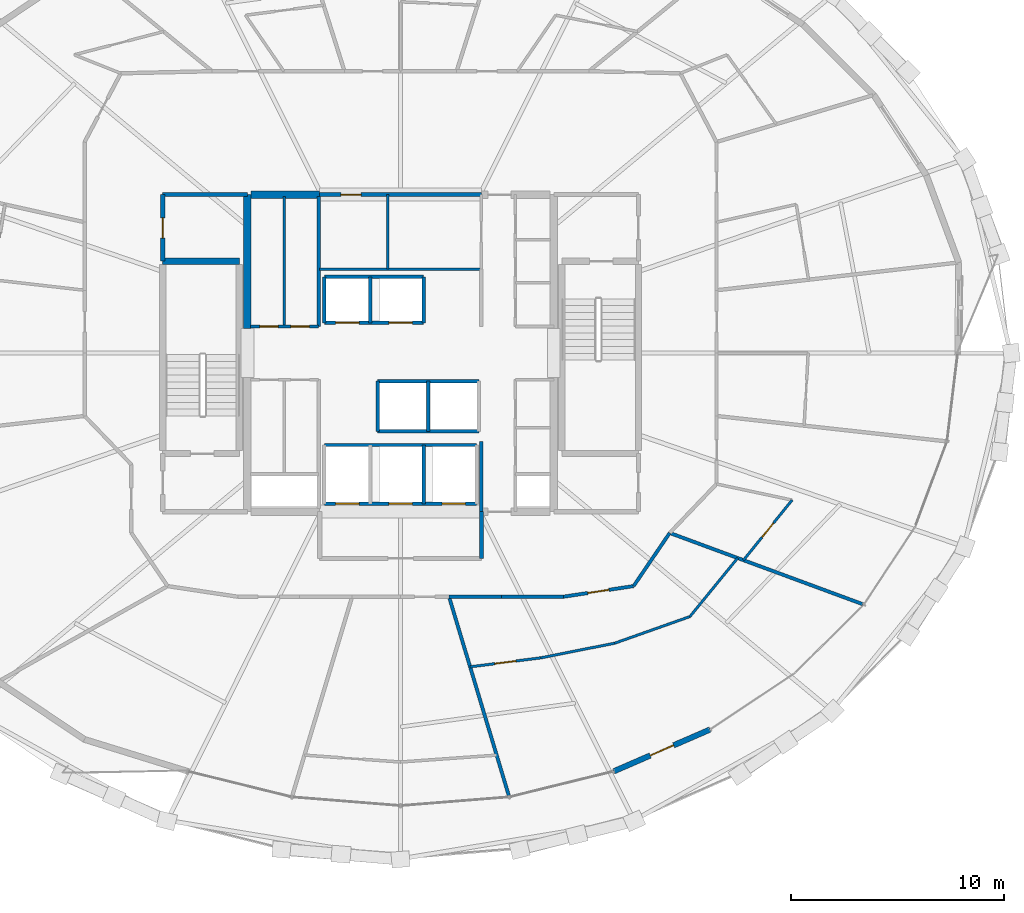
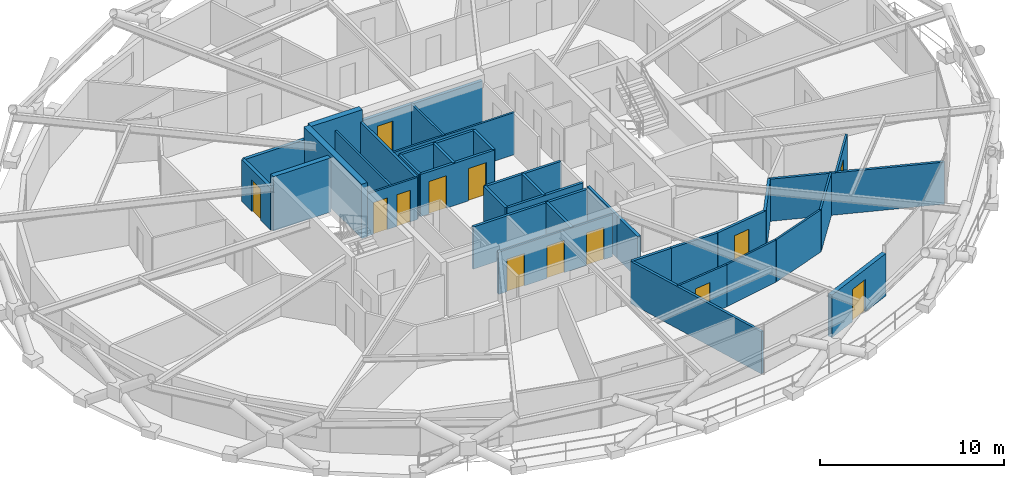
# One storey, part 14 of 20: 37 walls, 13 doors, 13 openings.
"""IFC4 building model written with IfcOpenShell, lengths in metres."""

from ifc_helpers import new_model, si_unit, direction, frame, frame_2d, origin, place, context, subcontext, project, spatial, rectangle, extrude, material, layer, layer_set, type_object, element, fill, save


model = new_model("IFC4")

# Units and contexts
model_context = context("Model", 3, precision=1e-05, world=origin(), true_north=direction((0.0, 1.0)))
body_context = subcontext(model_context, "Body", "Model", "MODEL_VIEW")
ifc_project = project(units=[si_unit("LENGTHUNIT", "METRE"), si_unit("AREAUNIT", "SQUARE_METRE"), si_unit("VOLUMEUNIT", "CUBIC_METRE"), si_unit("PLANEANGLEUNIT", "RADIAN"), si_unit("MASSUNIT", "GRAM", prefix="KILO")], contexts=[model_context])

# Site, building, storey
site_placement = place(None, origin())
site = spatial("IfcSite", under=ifc_project, at=site_placement, CompositionType="ELEMENT")
building_placement = place(site_placement, origin())
building = spatial("IfcBuilding", under=site, at=building_placement, Name="Veldorina Hangang Commons", CompositionType="ELEMENT")
storey_placement = place(building_placement, frame((0.0, 0.0, 117.199951171875)))
storey = spatial("IfcBuildingStorey", under=building, at=storey_placement, Name="L29", CompositionType="ELEMENT", Elevation=117.199951171875)

# Walls
ifc_material_1 = material(Name="Concrete C60/75", Category="concrete")
ifc_layer_1 = layer(ifc_material_1, 0.360107421875)
ifc_layer_set_1 = layer_set([ifc_layer_1], Name="Concrete C60/75")
wall_type_1 = type_object("IfcWallType", Name="CW-RC360-C60", PredefinedType="SHEAR", material=ifc_layer_set_1)
wall_1_placement = place(storey_placement, frame((24.800048828125, 25.14990234375, 0.0), z_axis=(0.0, 0.0, 1.0), x_axis=(0.0, 1.0, 0.0)))
element("IfcWall", 1, at=wall_1_placement, inside=storey, type_object=wall_type_1, Name="L29 W north core shear wall", PredefinedType="SHEAR", context=body_context, shape_type="SweptSolid", body=[
    extrude(rectangle(XDim=6.300048828125, YDim=0.360107421875, at=frame_2d((3.14990234375, 0.0))), origin(), (0.0, 0.0, 1.0), 3.60009765625),
])
wall_2_placement = place(storey_placement, frame((24.97998046875, 31.449951171875, 0.0), z_axis=(0.0, 0.0, 1.0), x_axis=(1.0, 0.0, 0.0)))
element("IfcWall", 2, at=wall_2_placement, inside=storey, type_object=wall_type_1, Name="L29 north-west core shear wall", PredefinedType="SHEAR", context=body_context, shape_type="SweptSolid", body=[
    extrude(rectangle(XDim=3.219970703125, YDim=0.360107421875, at=frame_2d((1.60986328125, 0.0))), origin(), (0.0, 0.0, 1.0), 3.60009765625),
])

# Wall, opening, door
ifc_material_2 = material(Name="Stone Roman Travertine", Category="masonry")
ifc_layer_2 = layer(ifc_material_2, 0.260009765625)
ifc_layer_set_2 = layer_set([ifc_layer_2], Name="Stone Roman Travertine")
wall_type_2 = type_object("IfcWallType", Name="EW-LOGGIA-260", PredefinedType="STANDARD", material=ifc_layer_set_2)
wall_3_placement = place(storey_placement, frame((42.02099609375, 4.3447265625, 0.0), z_axis=(0.0, 0.0, 1.0), x_axis=(0.917243758419, 0.398326358205, 0.0)))
wall_3 = element("IfcWall", 3, at=wall_3_placement, inside=storey, type_object=wall_type_2, Name="L29 sky-garden loggia portal wall 26", PredefinedType="STANDARD", context=body_context, shape_type="SweptSolid", body=[
    extrude(rectangle(XDim=4.935791015625, YDim=0.260009765625, at=frame_2d((2.4677734375, 0.0))), origin(), (0.0, 0.0, 1.0), 2.820068359375),
])
opening_1_placement = place(wall_3_placement, frame((1.867919921875, 0.0, 0.0)))
opening_1 = element("IfcOpeningElement", 4, at=opening_1_placement, cuts=wall_3, Name="Opening BD-1200", PredefinedType="OPENING", context=body_context, shape_type="SweptSolid", body=[
    extrude(rectangle(XDim=1.199951171875, YDim=2.14990234375, at=frame_2d((0.60009765625, 1.074951171875))), frame((0.0, 0.14013671875, 0.0), z_axis=(0.0, -1.0, 0.0), x_axis=(1.0, 0.0, 0.0)), (0.0, 0.0, 1.0), 0.280029296875),
])
ifc_material_3 = material(Name="Glass Thermal Aluminium Frame", Category="aluminium")
door_type_1 = type_object("IfcDoorType", Name="DR-EXT-LOG1200", OperationType="SINGLE_SWING_LEFT", PredefinedType="DOOR", material=ifc_material_3)
door_1_placement = place(opening_1_placement, origin())
door_1 = element("IfcDoor", 5, at=door_1_placement, inside=storey, type_object=door_type_1, Name="L29 loggia glazed exterior door 26", OperationType="SINGLE_SWING_LEFT", OverallHeight=2.14990234375, OverallWidth=1.199951171875, PredefinedType="DOOR", context=body_context, shape_type="SweptSolid", body=[
    extrude(rectangle(XDim=1.199951171875, YDim=2.14990234375, at=frame_2d((0.60009765625, 1.074951171875))), frame((0.0, 0.02490234375, 0.0), z_axis=(0.0, -1.0, 0.0), x_axis=(1.0, 0.0, 0.0)), (0.0, 0.0, 1.0), 0.050048828125),
])
fill(opening_1, door_1)

# Walls
ifc_material_4 = material(Name="Concrete C50/60", Category="concrete")
ifc_layer_3 = layer(ifc_material_4, 0.300048828125)
ifc_layer_set_3 = layer_set([ifc_layer_3], Name="Concrete C50/60")
wall_type_3 = type_object("IfcWallType", Name="SW-STAIR-300", PredefinedType="SHEAR", material=ifc_layer_set_3)
wall_4_placement = place(storey_placement, frame((20.820068359375, 28.320068359375, 0.0), z_axis=(0.0, 0.0, 1.0), x_axis=(1.0, 0.0, 0.0)))
element("IfcWall", 6, at=wall_4_placement, inside=storey, type_object=wall_type_3, Name="L29 ST1 north stair shear wall", PredefinedType="SHEAR", context=body_context, shape_type="SweptSolid", body=[
    extrude(rectangle(XDim=3.599853515625, YDim=0.300048828125, at=frame_2d((1.7998046875, 0.0))), origin(), (0.0, 0.0, 1.0), 3.60009765625),
])
ifc_material_5 = material(Name="Gypsum Fire-Rated Twin Stud Wall", Category="gypsum")
ifc_layer_4 = layer(ifc_material_5, 0.159912109375)
ifc_layer_set_4 = layer_set([ifc_layer_4], Name="Gypsum Fire-Rated Twin Stud Wall")
wall_type_4 = type_object("IfcWallType", Name="WL-FIRE-160", PredefinedType="SOLIDWALL", material=ifc_layer_set_4)
wall_5_placement = place(storey_placement, frame((35.800048828125, 16.550048828125, 0.0), z_axis=(0.0, 0.0, 1.0), x_axis=(0.0, 1.0, 0.0)))
element("IfcWall", 7, at=wall_5_placement, inside=storey, type_object=wall_type_4, Name="L29 Lift passage SW wall 009", PredefinedType="SOLIDWALL", context=body_context, shape_type="SweptSolid", body=[
    extrude(rectangle(XDim=3.300048828125, YDim=0.159912109375, at=frame_2d((1.64990234375, 0.0))), origin(), (0.0, 0.0, 1.0), 2.800048828125),
])

# Wall, openings, doors
wall_6_placement = place(storey_placement, frame((28.419921875, 25.419921875, 0.0), z_axis=(0.0, 0.0, 1.0), x_axis=(1.0, 0.0, 0.0)))
wall_6 = element("IfcWall", 8, at=wall_6_placement, inside=storey, type_object=wall_type_4, Name="L29 Mid-high front shaft wall 015", PredefinedType="SOLIDWALL", context=body_context, shape_type="SweptSolid", body=[
    extrude(rectangle(XDim=4.66015625, YDim=0.159912109375, at=frame_2d((2.330078125, 0.0))), origin(), (0.0, 0.0, 1.0), 2.800048828125),
])
opening_2_placement = place(wall_6_placement, frame((0.530029296875, 0.0, 0.0)))
opening_2 = element("IfcOpeningElement", 9, at=opening_2_placement, cuts=wall_6, Name="Opening LD-01", PredefinedType="OPENING", context=body_context, shape_type="SweptSolid", body=[
    extrude(rectangle(XDim=1.10009765625, YDim=2.14990234375, at=frame_2d((0.550048828125, 1.074951171875))), frame((0.0, 0.08984375, 0.0), z_axis=(0.0, -1.0, 0.0), x_axis=(1.0, 0.0, 0.0)), (0.0, 0.0, 1.0), 0.179931640625),
])
opening_3_placement = place(wall_6_placement, frame((3.030029296875, 0.0, 0.0)))
opening_3 = element("IfcOpeningElement", 10, at=opening_3_placement, cuts=wall_6, Name="Opening LD-01", PredefinedType="OPENING", context=body_context, shape_type="SweptSolid", body=[
    extrude(rectangle(XDim=1.10009765625, YDim=2.14990234375, at=frame_2d((0.550048828125, 1.074951171875))), frame((0.0, 0.08984375, 0.0), z_axis=(0.0, -1.0, 0.0), x_axis=(1.0, 0.0, 0.0)), (0.0, 0.0, 1.0), 0.179931640625),
])
ifc_material_6 = material(Name="Stainless Steel Brushed Lift Door", Category="steel")
door_type_2 = type_object("IfcDoorType", Name="DR-LIFT-1100", OperationType="SLIDING_TO_LEFT", PredefinedType="DOOR", material=ifc_material_6)
door_2_placement = place(opening_2_placement, origin())
door_2 = element("IfcDoor", 11, at=door_2_placement, inside=storey, type_object=door_type_2, Name="L29 Lift PL-M1 landing door 006", OperationType="SLIDING_TO_RIGHT", OverallHeight=2.14990234375, OverallWidth=1.10009765625, PredefinedType="DOOR", context=body_context, shape_type="SweptSolid", body=[
    extrude(rectangle(XDim=1.10009765625, YDim=2.14990234375, at=frame_2d((0.550048828125, 1.074951171875))), frame((0.0, 0.02490234375, 0.0), z_axis=(0.0, -1.0, 0.0), x_axis=(1.0, 0.0, 0.0)), (0.0, 0.0, 1.0), 0.050048828125),
])
fill(opening_2, door_2)
door_3_placement = place(opening_3_placement, origin())
door_3 = element("IfcDoor", 12, at=door_3_placement, inside=storey, type_object=door_type_2, Name="L29 Lift PL-M2 landing door 007", OperationType="SLIDING_TO_RIGHT", OverallHeight=2.14990234375, OverallWidth=1.10009765625, PredefinedType="DOOR", context=body_context, shape_type="SweptSolid", body=[
    extrude(rectangle(XDim=1.10009765625, YDim=2.14990234375, at=frame_2d((0.550048828125, 1.074951171875))), frame((0.0, 0.02490234375, 0.0), z_axis=(0.0, -1.0, 0.0), x_axis=(1.0, 0.0, 0.0)), (0.0, 0.0, 1.0), 0.050048828125),
])
fill(opening_3, door_3)

# Walls
wall_7_placement = place(storey_placement, frame((28.419921875, 27.580078125, 0.0), z_axis=(0.0, 0.0, 1.0), x_axis=(1.0, 0.0, 0.0)))
element("IfcWall", 13, at=wall_7_placement, inside=storey, type_object=wall_type_4, Name="L29 Mid-high rear shaft wall 016", PredefinedType="SOLIDWALL", context=body_context, shape_type="SweptSolid", body=[
    extrude(rectangle(XDim=4.66015625, YDim=0.159912109375, at=frame_2d((2.330078125, 0.0))), origin(), (0.0, 0.0, 1.0), 2.800048828125),
])
for number, where, z_axis, x_axis, name in (
    (14, (28.419921875, 25.419921875, 0.0), (0.0, 0.0, 1.0), (0.0, 1.0, 0.0), "L29 PL-M1 west shaft wall 017"),
    (15, (30.580078125, 25.419921875, 0.0), (0.0, 0.0, 1.0), (0.0, 1.0, 0.0), "L29 PL-M1 east shaft wall 018"),
    (16, (33.080078125, 25.419921875, 0.0), (0.0, 0.0, 1.0), (0.0, 1.0, 0.0), "L29 PL-M2 east shaft wall 019"),
):
    element("IfcWall", number, at=place(storey_placement, frame(where, z_axis=z_axis, x_axis=x_axis)), inside=storey, type_object=wall_type_4, Name=name, PredefinedType="SOLIDWALL", context=body_context, shape_type="SweptSolid", body=[
        extrude(rectangle(XDim=2.16015625, YDim=0.159912109375, at=frame_2d((1.080078125, 0.0))), origin(), (0.0, 0.0, 1.0), 2.800048828125),
    ])
for number, where, z_axis, x_axis, name in (
    (17, (30.919921875, 22.679931640625, 0.0), (0.0, 0.0, 1.0), (1.0, 0.0, 0.0), "L29 Shuttle-high front shaft wall 020"),
    (18, (30.919921875, 20.320068359375, 0.0), (0.0, 0.0, 1.0), (1.0, 0.0, 0.0), "L29 Shuttle-high rear shaft wall 021"),
):
    element("IfcWall", number, at=place(storey_placement, frame(where, z_axis=z_axis, x_axis=x_axis)), inside=storey, type_object=wall_type_4, Name=name, PredefinedType="SOLIDWALL", context=body_context, shape_type="SweptSolid", body=[
        extrude(rectangle(XDim=4.760009765625, YDim=0.159912109375, at=frame_2d((2.3798828125, 0.0))), origin(), (0.0, 0.0, 1.0), 2.800048828125),
    ])
for number, where, z_axis, x_axis, name in (
    (19, (30.919921875, 20.320068359375, 0.0), (0.0, 0.0, 1.0), (0.0, 1.0, 0.0), "L29 SL-1 west shaft wall 022"),
    (20, (33.300048828125, 20.320068359375, 0.0), (0.0, 0.0, 1.0), (0.0, 1.0, 0.0), "L29 SL-1 east shaft wall 023"),
):
    element("IfcWall", number, at=place(storey_placement, frame(where, z_axis=z_axis, x_axis=x_axis)), inside=storey, type_object=wall_type_4, Name=name, PredefinedType="SOLIDWALL", context=body_context, shape_type="SweptSolid", body=[
        extrude(rectangle(XDim=2.35986328125, YDim=0.159912109375, at=frame_2d((1.179931640625, 0.0))), origin(), (0.0, 0.0, 1.0), 2.800048828125),
    ])

# Wall, openings, doors
wall_8_placement = place(storey_placement, frame((28.419921875, 16.919921875, 0.0), z_axis=(0.0, 0.0, 1.0), x_axis=(1.0, 0.0, 0.0)))
wall_8 = element("IfcWall", 21, at=wall_8_placement, inside=storey, type_object=wall_type_4, Name="L29 Emergency front shaft wall 025", PredefinedType="SOLIDWALL", context=body_context, shape_type="SweptSolid", body=[
    extrude(rectangle(XDim=7.16015625, YDim=0.159912109375, at=frame_2d((3.580078125, 0.0))), origin(), (0.0, 0.0, 1.0), 2.800048828125),
])
opening_4_placement = place(wall_8_placement, frame((0.530029296875, 0.0, 0.0)))
opening_4 = element("IfcOpeningElement", 22, at=opening_4_placement, cuts=wall_8, Name="Opening LD-03", PredefinedType="OPENING", context=body_context, shape_type="SweptSolid", body=[
    extrude(rectangle(XDim=1.10009765625, YDim=2.14990234375, at=frame_2d((0.550048828125, 1.074951171875))), frame((0.0, 0.08984375, 0.0), z_axis=(0.0, -1.0, 0.0), x_axis=(1.0, 0.0, 0.0)), (0.0, 0.0, 1.0), 0.179931640625),
])
opening_5_placement = place(wall_8_placement, frame((3.030029296875, 0.0, 0.0)))
opening_5 = element("IfcOpeningElement", 23, at=opening_5_placement, cuts=wall_8, Name="Opening LD-03", PredefinedType="OPENING", context=body_context, shape_type="SweptSolid", body=[
    extrude(rectangle(XDim=1.10009765625, YDim=2.14990234375, at=frame_2d((0.550048828125, 1.074951171875))), frame((0.0, 0.08984375, 0.0), z_axis=(0.0, -1.0, 0.0), x_axis=(1.0, 0.0, 0.0)), (0.0, 0.0, 1.0), 0.179931640625),
])
opening_6_placement = place(wall_8_placement, frame((5.530029296875, 0.0, 0.0)))
opening_6 = element("IfcOpeningElement", 24, at=opening_6_placement, cuts=wall_8, Name="Opening LD-03", PredefinedType="OPENING", context=body_context, shape_type="SweptSolid", body=[
    extrude(rectangle(XDim=1.10009765625, YDim=2.14990234375, at=frame_2d((0.550048828125, 1.074951171875))), frame((0.0, 0.08984375, 0.0), z_axis=(0.0, -1.0, 0.0), x_axis=(1.0, 0.0, 0.0)), (0.0, 0.0, 1.0), 0.179931640625),
])
ifc_material_7 = material(Name="Stainless Steel Firefighting Lift Door", Category="steel")
door_type_3 = type_object("IfcDoorType", Name="DR-LIFT-FF1100", OperationType="SLIDING_TO_RIGHT", PredefinedType="DOOR", material=ifc_material_7)
door_4_placement = place(opening_4_placement, origin())
door_4 = element("IfcDoor", 25, at=door_4_placement, inside=storey, type_object=door_type_3, Name="L29 Emergency lift FFL-1 landing door 008", OperationType="SLIDING_TO_RIGHT", OverallHeight=2.14990234375, OverallWidth=1.10009765625, PredefinedType="DOOR", context=body_context, shape_type="SweptSolid", body=[
    extrude(rectangle(XDim=1.10009765625, YDim=2.14990234375, at=frame_2d((0.550048828125, 1.074951171875))), frame((0.0, 0.02490234375, 0.0), z_axis=(0.0, -1.0, 0.0), x_axis=(1.0, 0.0, 0.0)), (0.0, 0.0, 1.0), 0.050048828125),
])
fill(opening_4, door_4)
door_5_placement = place(opening_5_placement, origin())
door_5 = element("IfcDoor", 26, at=door_5_placement, inside=storey, type_object=door_type_3, Name="L29 Emergency lift FFL-2 landing door 009", OperationType="SLIDING_TO_RIGHT", OverallHeight=2.14990234375, OverallWidth=1.10009765625, PredefinedType="DOOR", context=body_context, shape_type="SweptSolid", body=[
    extrude(rectangle(XDim=1.10009765625, YDim=2.14990234375, at=frame_2d((0.550048828125, 1.074951171875))), frame((0.0, 0.02490234375, 0.0), z_axis=(0.0, -1.0, 0.0), x_axis=(1.0, 0.0, 0.0)), (0.0, 0.0, 1.0), 0.050048828125),
])
fill(opening_5, door_5)
door_6_placement = place(opening_6_placement, origin())
door_6 = element("IfcDoor", 27, at=door_6_placement, inside=storey, type_object=door_type_3, Name="L29 Emergency lift EVL-1 landing door 010", OperationType="SLIDING_TO_RIGHT", OverallHeight=2.14990234375, OverallWidth=1.10009765625, PredefinedType="DOOR", context=body_context, shape_type="SweptSolid", body=[
    extrude(rectangle(XDim=1.10009765625, YDim=2.14990234375, at=frame_2d((0.550048828125, 1.074951171875))), frame((0.0, 0.02490234375, 0.0), z_axis=(0.0, -1.0, 0.0), x_axis=(1.0, 0.0, 0.0)), (0.0, 0.0, 1.0), 0.050048828125),
])
fill(opening_6, door_6)

# Walls
wall_9_placement = place(storey_placement, frame((28.419921875, 19.679931640625, 0.0), z_axis=(0.0, 0.0, 1.0), x_axis=(1.0, 0.0, 0.0)))
element("IfcWall", 28, at=wall_9_placement, inside=storey, type_object=wall_type_4, Name="L29 Emergency rear shaft wall 026", PredefinedType="SOLIDWALL", context=body_context, shape_type="SweptSolid", body=[
    extrude(rectangle(XDim=7.16015625, YDim=0.159912109375, at=frame_2d((3.580078125, 0.0))), origin(), (0.0, 0.0, 1.0), 2.800048828125),
])
wall_10_placement = place(storey_placement, frame((33.080078125, 16.919921875, 0.0), z_axis=(0.0, 0.0, 1.0), x_axis=(0.0, 1.0, 0.0)))
element("IfcWall", 29, at=wall_10_placement, inside=storey, type_object=wall_type_4, Name="L29 FFL-2 east shaft wall 029", PredefinedType="SOLIDWALL", context=body_context, shape_type="SweptSolid", body=[
    extrude(rectangle(XDim=2.760009765625, YDim=0.159912109375, at=frame_2d((1.3798828125, 0.0))), origin(), (0.0, 0.0, 1.0), 2.800048828125),
])
wall_11_placement = place(storey_placement, frame((28.14990234375, 25.25, 0.0), z_axis=(0.0, 0.0, 1.0), x_axis=(0.0, 1.0, 0.0)))
element("IfcWall", 30, at=wall_11_placement, inside=storey, type_object=wall_type_4, Name="L29 NW core inner wall 038", PredefinedType="SOLIDWALL", context=body_context, shape_type="SweptSolid", body=[
    extrude(rectangle(XDim=6.10009765625, YDim=0.159912109375, at=frame_2d((3.050048828125, 0.0))), origin(), (0.0, 0.0, 1.0), 2.800048828125),
])
wall_12_placement = place(storey_placement, frame((34.277587890625, 12.550048828125, 0.0), z_axis=(0.0, 0.0, 1.0), x_axis=(1.0, 0.0, 0.0)))
element("IfcWall", 31, at=wall_12_placement, inside=storey, type_object=wall_type_4, Name="L29 U-corridor outer wall 25 075", PredefinedType="SOLIDWALL", context=body_context, shape_type="SweptSolid", body=[
    extrude(rectangle(XDim=2.465087890625, YDim=0.159912109375, at=frame_2d((1.232421875, 0.0))), origin(), (0.0, 0.0, 1.0), 2.800048828125),
])
wall_13_placement = place(storey_placement, frame((36.74267578125, 12.550048828125, 0.0), z_axis=(0.0, 0.0, 1.0), x_axis=(1.0, 0.0, 0.0)))
element("IfcWall", 32, at=wall_13_placement, inside=storey, type_object=wall_type_4, Name="L29 U-corridor outer wall 26 076", PredefinedType="SOLIDWALL", context=body_context, shape_type="SweptSolid", body=[
    extrude(rectangle(XDim=2.907958984375, YDim=0.159912109375, at=frame_2d((1.4541015625, 0.0))), origin(), (0.0, 0.0, 1.0), 2.800048828125),
])

# Wall, opening, door
wall_14_placement = place(storey_placement, frame((39.650634765625, 12.550048828125, 0.0), z_axis=(0.0, 0.0, 1.0), x_axis=(0.988710906508, 0.149835721217, 0.0)))
wall_14 = element("IfcWall", 33, at=wall_14_placement, inside=storey, type_object=wall_type_4, Name="L29 U-corridor outer wall 27 077", PredefinedType="SOLIDWALL", context=body_context, shape_type="SweptSolid", body=[
    extrude(rectangle(XDim=3.3369140625, YDim=0.159912109375, at=frame_2d((1.66845703125, 0.0))), origin(), (0.0, 0.0, 1.0), 2.800048828125),
])
opening_7_placement = place(wall_14_placement, frame((1.16845703125, 0.0, 0.0)))
opening_7 = element("IfcOpeningElement", 34, at=opening_7_placement, cuts=wall_14, Name="Opening D-05", PredefinedType="OPENING", context=body_context, shape_type="SweptSolid", body=[
    extrude(rectangle(XDim=1.0, YDim=2.10009765625, at=frame_2d((0.5, 1.050048828125))), frame((0.0, 0.08984375, 0.0), z_axis=(0.0, -1.0, 0.0), x_axis=(1.0, 0.0, 0.0)), (0.0, 0.0, 1.0), 0.179931640625),
])
ifc_material_8 = material(Name="Timber Solid Core Acoustic", Category="wood")
door_type_4 = type_object("IfcDoorType", Name="DR-INT-1000", OperationType="SINGLE_SWING_RIGHT", PredefinedType="DOOR", material=ifc_material_8)
door_7_placement = place(opening_7_placement, origin())
door_7 = element("IfcDoor", 35, at=door_7_placement, inside=storey, type_object=door_type_4, Name="L29 Commons alcove door 022", OperationType="SINGLE_SWING_RIGHT", OverallHeight=2.10009765625, OverallWidth=1.0, PredefinedType="DOOR", context=body_context, shape_type="SweptSolid", body=[
    extrude(rectangle(XDim=1.0, YDim=2.10009765625, at=frame_2d((0.5, 1.050048828125))), frame((0.0, 0.02490234375, 0.0), z_axis=(0.0, -1.0, 0.0), x_axis=(1.0, 0.0, 0.0)), (0.0, 0.0, 1.0), 0.050048828125),
])
fill(opening_7, door_7)

# Walls
wall_15_placement = place(storey_placement, frame((42.949951171875, 13.050048828125, 0.0), z_axis=(0.0, 0.0, 1.0), x_axis=(0.562674669208, 0.826678423955, 0.0)))
element("IfcWall", 36, at=wall_15_placement, inside=storey, type_object=wall_type_4, Name="L29 U-corridor outer wall 28 078", PredefinedType="SOLIDWALL", context=body_context, shape_type="SweptSolid", body=[
    extrude(rectangle(XDim=3.021240234375, YDim=0.159912109375, at=frame_2d((1.5107421875, 0.0))), origin(), (0.0, 0.0, 1.0), 2.800048828125),
])
wall_16_placement = place(storey_placement, frame((34.277587890625, 12.550048828125, 0.0), z_axis=(0.0, 0.0, 1.0), x_axis=(0.287936282095, -0.957649569234, 0.0)))
element("IfcWall", 37, at=wall_16_placement, inside=storey, type_object=wall_type_4, Name="L29 Unit party wall 25 082", PredefinedType="SOLIDWALL", context=body_context, shape_type="SweptSolid", body=[
    extrude(rectangle(XDim=9.7822265625, YDim=0.159912109375, at=frame_2d((4.89111328125, 0.0))), origin(), (0.0, 0.0, 1.0), 2.800048828125),
])
wall_17_placement = place(storey_placement, frame((44.64990234375, 15.547607421875, 0.0), z_axis=(0.0, 0.0, 1.0), x_axis=(0.938144779107, -0.34624322872, 0.0)))
element("IfcWall", 38, at=wall_17_placement, inside=storey, type_object=wall_type_4, Name="L29 Unit party wall 29 087", PredefinedType="SOLIDWALL", context=body_context, shape_type="SweptSolid", body=[
    extrude(rectangle(XDim=9.6748046875, YDim=0.159912109375, at=frame_2d((4.83740234375, 0.0))), origin(), (0.0, 0.0, 1.0), 2.800048828125),
])

# Wall, opening, door
ifc_material_9 = material(Name="Concrete Blockwork Fire Wall C30/37", Category="masonry")
ifc_layer_5 = layer(ifc_material_9, 0.199951171875)
ifc_layer_set_5 = layer_set([ifc_layer_5], Name="Concrete Blockwork Fire Wall C30/37")
wall_type_5 = type_object("IfcWallType", Name="WL-FIRE-200", PredefinedType="SOLIDWALL", material=ifc_layer_set_5)
wall_18_placement = place(storey_placement, frame((20.820068359375, 28.320068359375, 0.0), z_axis=(0.0, 0.0, 1.0), x_axis=(0.0, 1.0, 0.0)))
wall_18 = element("IfcWall", 39, at=wall_18_placement, inside=storey, type_object=wall_type_5, Name="L29 NW core room outer wall 005", PredefinedType="SOLIDWALL", context=body_context, shape_type="SweptSolid", body=[
    extrude(rectangle(XDim=3.1298828125, YDim=0.199951171875, at=frame_2d((1.56494140625, 0.0))), origin(), (0.0, 0.0, 1.0), 2.800048828125),
])
opening_8_placement = place(wall_18_placement, frame((1.090087890625, 0.0, 0.0)))
opening_8 = element("IfcOpeningElement", 40, at=opening_8_placement, cuts=wall_18, Name="Opening D-04", PredefinedType="OPENING", context=body_context, shape_type="SweptSolid", body=[
    extrude(rectangle(XDim=0.949951171875, YDim=2.10009765625, at=frame_2d((0.47509765625, 1.050048828125))), frame((0.0, 0.10986328125, 0.0), z_axis=(0.0, -1.0, 0.0), x_axis=(1.0, 0.0, 0.0)), (0.0, 0.0, 1.0), 0.219970703125),
])
ifc_material_10 = material(Name="Timber Accessible Flush Leaf", Category="wood")
door_type_5 = type_object("IfcDoorType", Name="DR-ACC-950", OperationType="SINGLE_SWING_LEFT", PredefinedType="DOOR", material=ifc_material_10)
door_8_placement = place(opening_8_placement, origin())
door_8 = element("IfcDoor", 41, at=door_8_placement, inside=storey, type_object=door_type_5, Name="L29 NW core WC door 003", OperationType="SINGLE_SWING_LEFT", OverallHeight=2.10009765625, OverallWidth=0.949951171875, PredefinedType="DOOR", context=body_context, shape_type="SweptSolid", body=[
    extrude(rectangle(XDim=0.949951171875, YDim=2.10009765625, at=frame_2d((0.47509765625, 1.050048828125))), frame((0.0, 0.02490234375, 0.0), z_axis=(0.0, -1.0, 0.0), x_axis=(1.0, 0.0, 0.0)), (0.0, 0.0, 1.0), 0.050048828125),
])
fill(opening_8, door_8)

# Walls
wall_19_placement = place(storey_placement, frame((20.820068359375, 31.449951171875, 0.0), z_axis=(0.0, 0.0, 1.0), x_axis=(1.0, 0.0, 0.0)))
element("IfcWall", 42, at=wall_19_placement, inside=storey, type_object=wall_type_5, Name="L29 NW core room north wall 006", PredefinedType="SOLIDWALL", context=body_context, shape_type="SweptSolid", body=[
    extrude(rectangle(XDim=3.97998046875, YDim=0.199951171875, at=frame_2d((1.989990234375, 0.0))), origin(), (0.0, 0.0, 1.0), 2.800048828125),
])
wall_20_placement = place(storey_placement, frame((35.800048828125, 14.35009765625, 0.0), z_axis=(0.0, 0.0, 1.0), x_axis=(0.0, 1.0, 0.0)))
element("IfcWall", 43, at=wall_20_placement, inside=storey, type_object=wall_type_5, Name="L29 FF lobby east wall 013", PredefinedType="SOLIDWALL", context=body_context, shape_type="SweptSolid", body=[
    extrude(rectangle(XDim=2.199951171875, YDim=0.199951171875, at=frame_2d((1.10009765625, 0.0))), origin(), (0.0, 0.0, 1.0), 2.800048828125),
])

# Wall, opening, door
wall_21_placement = place(storey_placement, frame((28.199951171875, 31.449951171875, 0.0), z_axis=(0.0, 0.0, 1.0), x_axis=(1.0, 0.0, 0.0)))
wall_21 = element("IfcWall", 44, at=wall_21_placement, inside=storey, type_object=wall_type_5, Name="L29 Merged north core wall 031", PredefinedType="SOLIDWALL", context=body_context, shape_type="SweptSolid", body=[
    extrude(rectangle(XDim=7.60009765625, YDim=0.199951171875, at=frame_2d((3.800048828125, 0.0))), origin(), (0.0, 0.0, 1.0), 2.800048828125),
])
opening_9_placement = place(wall_21_placement, frame((1.0, 0.0, 0.0)))
opening_9 = element("IfcOpeningElement", 45, at=opening_9_placement, cuts=wall_21, Name="Opening D-02", PredefinedType="OPENING", context=body_context, shape_type="SweptSolid", body=[
    extrude(rectangle(XDim=0.949951171875, YDim=2.10009765625, at=frame_2d((0.47509765625, 1.050048828125))), frame((0.0, 0.10986328125, 0.0), z_axis=(0.0, -1.0, 0.0), x_axis=(1.0, 0.0, 0.0)), (0.0, 0.0, 1.0), 0.219970703125),
])
door_type_6 = type_object("IfcDoorType", Name="DR-INT-950", OperationType="SINGLE_SWING_LEFT", PredefinedType="DOOR", material=ifc_material_8)
door_9_placement = place(opening_9_placement, origin())
door_9 = element("IfcDoor", 46, at=door_9_placement, inside=storey, type_object=door_type_6, Name="L29 Core study alcove door 011", OperationType="SINGLE_SWING_LEFT", OverallHeight=2.10009765625, OverallWidth=0.949951171875, PredefinedType="DOOR", context=body_context, shape_type="SweptSolid", body=[
    extrude(rectangle(XDim=0.949951171875, YDim=2.10009765625, at=frame_2d((0.47509765625, 1.050048828125))), frame((0.0, 0.02490234375, 0.0), z_axis=(0.0, -1.0, 0.0), x_axis=(1.0, 0.0, 0.0)), (0.0, 0.0, 1.0), 0.050048828125),
])
fill(opening_9, door_9)

# Walls
ifc_material_11 = material(Name="Gypsum Acoustic Stud Partition", Category="gypsum")
ifc_layer_6 = layer(ifc_material_11, 0.1201171875)
ifc_layer_set_6 = layer_set([ifc_layer_6], Name="Gypsum Acoustic Stud Partition")
wall_type_6 = type_object("IfcWallType", Name="WL-PART-120", PredefinedType="PARTITIONING", material=ifc_layer_set_6)
wall_22_placement = place(storey_placement, frame((28.199951171875, 27.949951171875, 0.0), z_axis=(0.0, 0.0, 1.0), x_axis=(1.0, 0.0, 0.0)))
element("IfcWall", 47, at=wall_22_placement, inside=storey, type_object=wall_type_6, Name="L29 Merged north south wall 032", PredefinedType="PARTITIONING", context=body_context, shape_type="SweptSolid", body=[
    extrude(rectangle(XDim=7.60009765625, YDim=0.1201171875, at=frame_2d((3.800048828125, 0.0))), origin(), (0.0, 0.0, 1.0), 2.800048828125),
])
wall_23_placement = place(storey_placement, frame((31.39990234375, 27.949951171875, 0.0), z_axis=(0.0, 0.0, 1.0), x_axis=(0.0, 1.0, 0.0)))
element("IfcWall", 48, at=wall_23_placement, inside=storey, type_object=wall_type_6, Name="L29 Merged north split wall 034", PredefinedType="PARTITIONING", context=body_context, shape_type="SweptSolid", body=[
    extrude(rectangle(XDim=3.5, YDim=0.1201171875, at=frame_2d((1.75, 0.0))), origin(), (0.0, 0.0, 1.0), 2.800048828125),
])

# Wall, openings, doors
wall_24_placement = place(storey_placement, frame((24.949951171875, 25.25, 0.0), z_axis=(0.0, 0.0, 1.0), x_axis=(1.0, 0.0, 0.0)))
wall_24 = element("IfcWall", 49, at=wall_24_placement, inside=storey, type_object=wall_type_6, Name="L29 NW service south wall 039", PredefinedType="PARTITIONING", context=body_context, shape_type="SweptSolid", body=[
    extrude(rectangle(XDim=3.199951171875, YDim=0.1201171875, at=frame_2d((1.60009765625, 0.0))), origin(), (0.0, 0.0, 1.0), 2.800048828125),
])
opening_10_placement = place(wall_24_placement, frame((0.43994140625, 0.0, 0.0)))
opening_10 = element("IfcOpeningElement", 50, at=opening_10_placement, cuts=wall_24, Name="Opening D-01", PredefinedType="OPENING", context=body_context, shape_type="SweptSolid", body=[
    extrude(rectangle(XDim=0.860107421875, YDim=2.10009765625, at=frame_2d((0.43017578125, 1.050048828125))), frame((0.0, 0.070068359375, 0.0), z_axis=(0.0, -1.0, 0.0), x_axis=(1.0, 0.0, 0.0)), (0.0, 0.0, 1.0), 0.14013671875),
])
opening_11_placement = place(wall_24_placement, frame((1.89990234375, 0.0, 0.0)))
opening_11 = element("IfcOpeningElement", 51, at=opening_11_placement, cuts=wall_24, Name="Opening D-01", PredefinedType="OPENING", context=body_context, shape_type="SweptSolid", body=[
    extrude(rectangle(XDim=0.860107421875, YDim=2.10009765625, at=frame_2d((0.43017578125, 1.050048828125))), frame((0.0, 0.070068359375, 0.0), z_axis=(0.0, -1.0, 0.0), x_axis=(1.0, 0.0, 0.0)), (0.0, 0.0, 1.0), 0.14013671875),
])
ifc_material_12 = material(Name="Timber Moisture-Resistant Core", Category="wood")
door_type_7 = type_object("IfcDoorType", Name="DR-WET-860", OperationType="SINGLE_SWING_LEFT", PredefinedType="DOOR", material=ifc_material_12)
door_10_placement = place(opening_10_placement, origin())
door_10 = element("IfcDoor", 52, at=door_10_placement, inside=storey, type_object=door_type_7, Name="L29 Linen west door 013", OperationType="SINGLE_SWING_LEFT", OverallHeight=2.10009765625, OverallWidth=0.860107421875, PredefinedType="DOOR", context=body_context, shape_type="SweptSolid", body=[
    extrude(rectangle(XDim=0.860107421875, YDim=2.10009765625, at=frame_2d((0.43017578125, 1.050048828125))), frame((0.0, 0.02490234375, 0.0), z_axis=(0.0, -1.0, 0.0), x_axis=(1.0, 0.0, 0.0)), (0.0, 0.0, 1.0), 0.050048828125),
])
fill(opening_10, door_10)
door_11_placement = place(opening_11_placement, origin())
door_11 = element("IfcDoor", 53, at=door_11_placement, inside=storey, type_object=door_type_7, Name="L29 Data closet door 014", OperationType="SINGLE_SWING_RIGHT", OverallHeight=2.10009765625, OverallWidth=0.860107421875, PredefinedType="DOOR", context=body_context, shape_type="SweptSolid", body=[
    extrude(rectangle(XDim=0.860107421875, YDim=2.10009765625, at=frame_2d((0.43017578125, 1.050048828125))), frame((0.0, 0.02490234375, 0.0), z_axis=(0.0, -1.0, 0.0), x_axis=(1.0, 0.0, 0.0)), (0.0, 0.0, 1.0), 0.050048828125),
])
fill(opening_11, door_11)

# Wall
wall_25_placement = place(storey_placement, frame((26.530029296875, 25.25, 0.0), z_axis=(0.0, 0.0, 1.0), x_axis=(0.0, 1.0, 0.0)))
element("IfcWall", 54, at=wall_25_placement, inside=storey, type_object=wall_type_6, Name="L29 NW vertical split 045", PredefinedType="PARTITIONING", context=body_context, shape_type="SweptSolid", body=[
    extrude(rectangle(XDim=6.10009765625, YDim=0.1201171875, at=frame_2d((3.050048828125, 0.0))), origin(), (0.0, 0.0, 1.0), 2.800048828125),
])

# Wall, opening, door
wall_26_placement = place(storey_placement, frame((35.268310546875, 9.25439453125, 0.0), z_axis=(0.0, 0.0, 1.0), x_axis=(0.99195835068, 0.12656472856, 0.0)))
wall_26 = element("IfcWall", 55, at=wall_26_placement, inside=storey, type_object=wall_type_6, Name="L29 Lounge alcove split 0 083", PredefinedType="PARTITIONING", context=body_context, shape_type="SweptSolid", body=[
    extrude(rectangle(XDim=3.3486328125, YDim=0.1201171875, at=frame_2d((1.67431640625, 0.0))), origin(), (0.0, 0.0, 1.0), 2.800048828125),
])
opening_12_placement = place(wall_26_placement, frame((1.17431640625, 0.0, 0.0)))
opening_12 = element("IfcOpeningElement", 56, at=opening_12_placement, cuts=wall_26, Name="Opening D-05", PredefinedType="OPENING", context=body_context, shape_type="SweptSolid", body=[
    extrude(rectangle(XDim=1.0, YDim=2.10009765625, at=frame_2d((0.5, 1.050048828125))), frame((0.0, 0.070068359375, 0.0), z_axis=(0.0, -1.0, 0.0), x_axis=(1.0, 0.0, 0.0)), (0.0, 0.0, 1.0), 0.14013671875),
])
door_12_placement = place(opening_12_placement, origin())
door_12 = element("IfcDoor", 57, at=door_12_placement, inside=storey, type_object=door_type_4, Name="L29 Commons lounge door 023", OperationType="SINGLE_SWING_LEFT", OverallHeight=2.10009765625, OverallWidth=1.0, PredefinedType="DOOR", context=body_context, shape_type="SweptSolid", body=[
    extrude(rectangle(XDim=1.0, YDim=2.10009765625, at=frame_2d((0.5, 1.050048828125))), frame((0.0, 0.02490234375, 0.0), z_axis=(0.0, -1.0, 0.0), x_axis=(1.0, 0.0, 0.0)), (0.0, 0.0, 1.0), 0.050048828125),
])
fill(opening_12, door_12)

# Walls
wall_27_placement = place(storey_placement, frame((38.590087890625, 9.67822265625, 0.0), z_axis=(0.0, 0.0, 1.0), x_axis=(0.980955311434, 0.19423356293, 0.0)))
element("IfcWall", 58, at=wall_27_placement, inside=storey, type_object=wall_type_6, Name="L29 Lounge alcove split 1 084", PredefinedType="PARTITIONING", context=body_context, shape_type="SweptSolid", body=[
    extrude(rectangle(XDim=3.5419921875, YDim=0.1201171875, at=frame_2d((1.77099609375, 0.0))), origin(), (0.0, 0.0, 1.0), 2.800048828125),
])
wall_28_placement = place(storey_placement, frame((42.064697265625, 10.3662109375, 0.0), z_axis=(0.0, 0.0, 1.0), x_axis=(0.942672477538, 0.333719343299, 0.0)))
element("IfcWall", 59, at=wall_28_placement, inside=storey, type_object=wall_type_6, Name="L29 Lounge alcove split 2 085", PredefinedType="PARTITIONING", context=body_context, shape_type="SweptSolid", body=[
    extrude(rectangle(XDim=3.74853515625, YDim=0.1201171875, at=frame_2d((1.874267578125, 0.0))), origin(), (0.0, 0.0, 1.0), 2.800048828125),
])
wall_29_placement = place(storey_placement, frame((45.598388671875, 11.6171875, 0.0), z_axis=(0.0, 0.0, 1.0), x_axis=(0.632136503623, 0.774857045388, 0.0)))
element("IfcWall", 60, at=wall_29_placement, inside=storey, type_object=wall_type_6, Name="L29 Lounge alcove split 3 086", PredefinedType="PARTITIONING", context=body_context, shape_type="SweptSolid", body=[
    extrude(rectangle(XDim=3.55126953125, YDim=0.1201171875, at=frame_2d((1.775634765625, 0.0))), origin(), (0.0, 0.0, 1.0), 2.800048828125),
])

# Wall, opening, door
wall_30_placement = place(storey_placement, frame((48.116943359375, 14.26806640625, 0.0), z_axis=(0.0, 0.0, 1.0), x_axis=(0.628695338922, 0.777651702768, 0.0)))
wall_30 = element("IfcWall", 61, at=wall_30_placement, inside=storey, type_object=wall_type_6, Name="L29 Studio 2 bath front wall 088", PredefinedType="PARTITIONING", context=body_context, shape_type="SweptSolid", body=[
    extrude(rectangle(XDim=3.632080078125, YDim=0.1201171875, at=frame_2d((1.81591796875, 0.0))), origin(), (0.0, 0.0, 1.0), 2.800048828125),
])
opening_13_placement = place(wall_30_placement, frame((1.385986328125, 0.0, 0.0)))
opening_13 = element("IfcOpeningElement", 62, at=opening_13_placement, cuts=wall_30, Name="Opening D-01", PredefinedType="OPENING", context=body_context, shape_type="SweptSolid", body=[
    extrude(rectangle(XDim=0.860107421875, YDim=2.10009765625, at=frame_2d((0.43017578125, 1.050048828125))), frame((0.0, 0.070068359375, 0.0), z_axis=(0.0, -1.0, 0.0), x_axis=(1.0, 0.0, 0.0)), (0.0, 0.0, 1.0), 0.14013671875),
])
door_13_placement = place(opening_13_placement, origin())
door_13 = element("IfcDoor", 63, at=door_13_placement, inside=storey, type_object=door_type_7, Name="L29 Studio 2 bathroom door 024", OperationType="SINGLE_SWING_RIGHT", OverallHeight=2.10009765625, OverallWidth=0.860107421875, PredefinedType="DOOR", context=body_context, shape_type="SweptSolid", body=[
    extrude(rectangle(XDim=0.860107421875, YDim=2.10009765625, at=frame_2d((0.43017578125, 1.050048828125))), frame((0.0, 0.02490234375, 0.0), z_axis=(0.0, -1.0, 0.0), x_axis=(1.0, 0.0, 0.0)), (0.0, 0.0, 1.0), 0.050048828125),
])
fill(opening_13, door_13)

save(model, "model.ifc")
